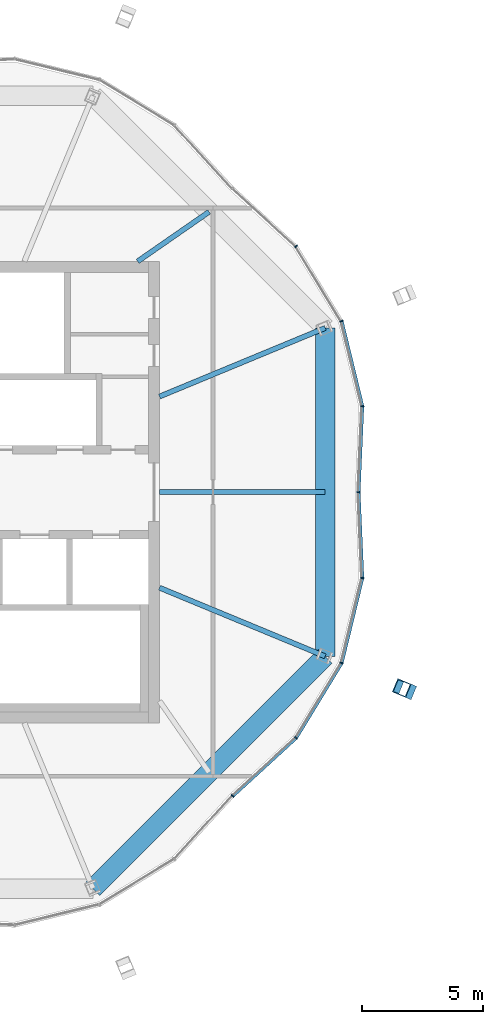
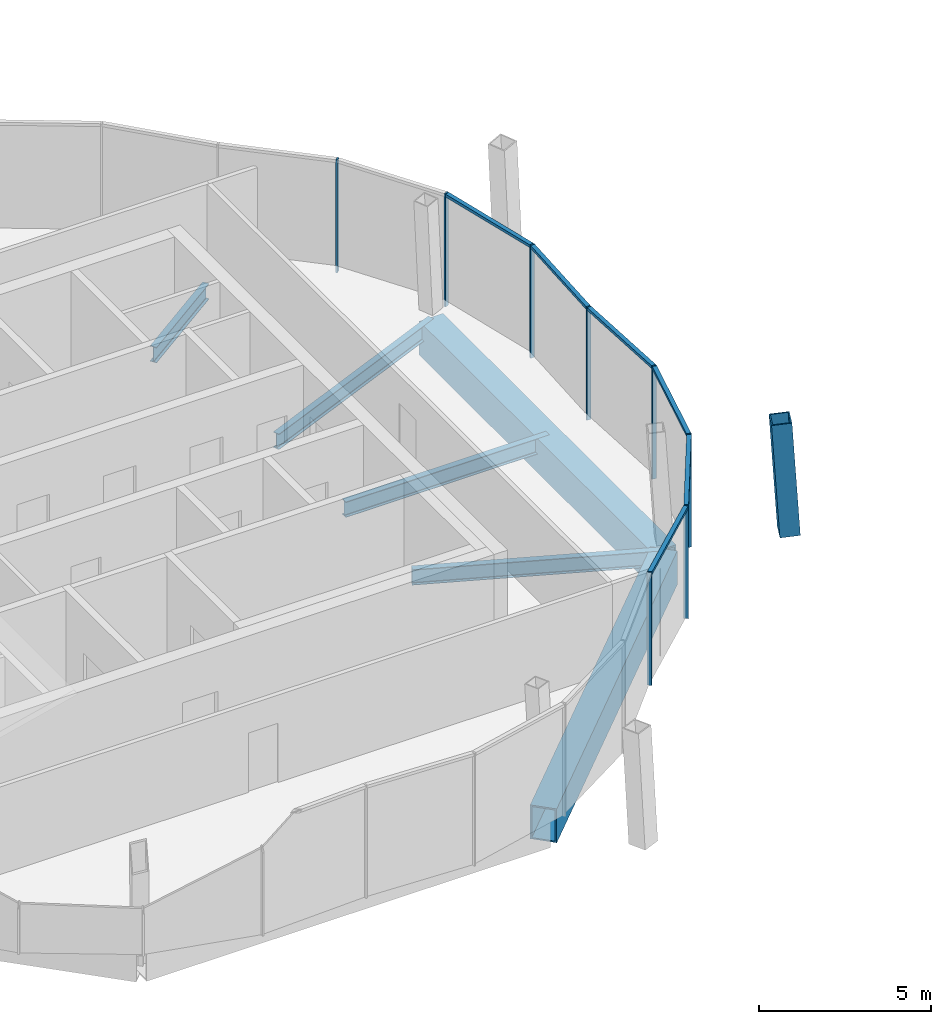
# One storey, part 7 of 23: 15 members, 6 beams, 3 elements without a shape of their own.
"""IFC4 building model written with IfcOpenShell, lengths in metres."""

from ifc_helpers import new_model, si_unit, direction, frame, origin, origin_2d, place, context, subcontext, project, spatial, rectangle, hollow_rectangle, i_section, extrude, material, material_profile, profile_set, type_object, element, aggregate, save


model = new_model("IFC4")

# Units and contexts
model_context = context("Model", 3, precision=1e-05, world=origin(), true_north=direction((0.0, 1.0)))
body_context = subcontext(model_context, "Body", "Model", "MODEL_VIEW")
ifc_project = project(units=[si_unit("LENGTHUNIT", "METRE"), si_unit("AREAUNIT", "SQUARE_METRE"), si_unit("VOLUMEUNIT", "CUBIC_METRE"), si_unit("PLANEANGLEUNIT", "RADIAN"), si_unit("MASSUNIT", "GRAM", prefix="KILO")], contexts=[model_context])

# Site, building, storey
site_placement = place(None, origin())
site = spatial("IfcSite", under=ifc_project, at=site_placement, CompositionType="ELEMENT")
building_placement = place(site_placement, origin())
building = spatial("IfcBuilding", under=site, at=building_placement, Name="Ogive Gate Towers", CompositionType="ELEMENT")
storey_placement = place(building_placement, frame((0.0, 0.0, 302.0)))
storey = spatial("IfcBuildingStorey", under=building, at=storey_placement, Name="L71", CompositionType="ELEMENT", Elevation=302.0)

# Curtain wall, members
ifc_material_1 = material(Name="Pale metal aluminium", Category="aluminium")
curtain_wall_type = type_object("IfcCurtainWallType", Name="Crown lean wall", PredefinedType="NOTDEFINED", material=ifc_material_1)
curtain_wall_1_placement = place(storey_placement, origin())
curtain_wall_1 = element("IfcCurtainWall", 1, at=curtain_wall_1_placement, inside=storey, type_object=curtain_wall_type, Name="CW5 T1 ECW01", PredefinedType="NOTDEFINED")
ifc_material_profile_1 = material_profile(ifc_material_1, rectangle(XDim=0.139892578125, YDim=0.050048828125, at=origin_2d()), Name="50 x 140 aluminium box")
ifc_profile_set_1 = profile_set([ifc_material_profile_1], Name="Pale metal aluminium")
member_type_1 = type_object("IfcMemberType", Name="Crown lean wall mullion 50 x 140", PredefinedType="MULLION", material=ifc_profile_set_1)
member_1_placement = place(storey_placement, frame((-20.87841796875, 10.119384765625, -0.300048828125), z_axis=(0.0, 0.0, 1.0), x_axis=(-0.772689259065, -0.634784458636, 0.0)))
member_1 = element("IfcMember", 2, at=member_1_placement, type_object=member_type_1, Name="CW5 mullion", PredefinedType="MULLION", context=body_context, shape_type="SweptSolid", body=[
    extrude(rectangle(XDim=0.139892578125, YDim=0.050048828125, at=origin_2d()), origin(), (0.0, 0.0, 1.0), 4.0),
])
member_2_placement = place(storey_placement, frame((-19.004150390625, 7.039794921875, -0.300048828125), z_axis=(0.0, 0.0, 1.0), x_axis=(-0.923879532511, -0.382683432365, 0.0)))
member_2 = element("IfcMember", 3, at=member_2_placement, type_object=member_type_1, Name="CW5 mullion", PredefinedType="MULLION", context=body_context, shape_type="SweptSolid", body=[
    extrude(rectangle(XDim=0.139892578125, YDim=0.050048828125, at=origin_2d()), origin(), (0.0, 0.0, 1.0), 4.0),
])
member_3_placement = place(storey_placement, frame((-18.151611328125, 3.537109375, -0.300048828125), z_axis=(0.0, 0.0, 1.0), x_axis=(-0.995234210128, -0.097513419542, 0.0)))
member_3 = element("IfcMember", 4, at=member_3_placement, type_object=member_type_1, Name="CW5 mullion", PredefinedType="MULLION", context=body_context, shape_type="SweptSolid", body=[
    extrude(rectangle(XDim=0.139892578125, YDim=0.050048828125, at=origin_2d()), origin(), (0.0, 0.0, 1.0), 4.0),
])
member_4_placement = place(storey_placement, frame((-18.304931640625, -0.001220703125, -0.300048828125), z_axis=(0.0, 0.0, 1.0), x_axis=(-0.999060363459, 0.043340398775, 0.0)))
member_4 = element("IfcMember", 5, at=member_4_placement, type_object=member_type_1, Name="CW5 mullion", PredefinedType="MULLION", context=body_context, shape_type="SweptSolid", body=[
    extrude(rectangle(XDim=0.139892578125, YDim=0.050048828125, at=origin_2d()), origin(), (0.0, 0.0, 1.0), 4.0),
])

# Curtain wall, member
curtain_wall_2_placement = place(storey_placement, origin())
curtain_wall_2 = element("IfcCurtainWall", 6, at=curtain_wall_2_placement, inside=storey, type_object=curtain_wall_type, Name="CW5 T1 ECW07", PredefinedType="NOTDEFINED")
member_5_placement = place(storey_placement, frame((-23.48681640625, -12.511474609375, -0.300048828125), z_axis=(0.0, 0.0, 1.0), x_axis=(-0.737088647689, 0.675796067943, 0.0)))
member_5 = element("IfcMember", 7, at=member_5_placement, type_object=member_type_1, Name="CW5 mullion", PredefinedType="MULLION", context=body_context, shape_type="SweptSolid", body=[
    extrude(rectangle(XDim=0.139892578125, YDim=0.050048828125, at=origin_2d()), origin(), (0.0, 0.0, 1.0), 4.0),
])
aggregate(curtain_wall_2, [member_5])

# Curtain wall, members
curtain_wall_3_placement = place(storey_placement, origin())
curtain_wall_3 = element("IfcCurtainWall", 8, at=curtain_wall_3_placement, inside=storey, type_object=curtain_wall_type, Name="CW5 T1 ECW08", PredefinedType="NOTDEFINED")
member_6_placement = place(storey_placement, frame((-18.151611328125, -3.537109375, -0.300048828125), z_axis=(0.0, 0.0, 1.0), x_axis=(-0.995234210128, 0.097513419542, 0.0)))
member_6 = element("IfcMember", 9, at=member_6_placement, type_object=member_type_1, Name="CW5 mullion", PredefinedType="MULLION", context=body_context, shape_type="SweptSolid", body=[
    extrude(rectangle(XDim=0.139892578125, YDim=0.050048828125, at=origin_2d()), origin(), (0.0, 0.0, 1.0), 4.0),
])
member_7_placement = place(storey_placement, frame((-19.004150390625, -7.039794921875, -0.300048828125), z_axis=(0.0, 0.0, 1.0), x_axis=(-0.923879532511, 0.382683432365, 0.0)))
member_7 = element("IfcMember", 10, at=member_7_placement, type_object=member_type_1, Name="CW5 mullion", PredefinedType="MULLION", context=body_context, shape_type="SweptSolid", body=[
    extrude(rectangle(XDim=0.139892578125, YDim=0.050048828125, at=origin_2d()), origin(), (0.0, 0.0, 1.0), 4.0),
])
member_8_placement = place(storey_placement, frame((-20.87841796875, -10.119384765625, -0.300048828125), z_axis=(0.0, 0.0, 1.0), x_axis=(-0.772689259065, 0.634784458636, 0.0)))
member_8 = element("IfcMember", 11, at=member_8_placement, type_object=member_type_1, Name="CW5 mullion", PredefinedType="MULLION", context=body_context, shape_type="SweptSolid", body=[
    extrude(rectangle(XDim=0.139892578125, YDim=0.050048828125, at=origin_2d()), origin(), (0.0, 0.0, 1.0), 4.0),
])

# Member
ifc_material_profile_2 = material_profile(ifc_material_1, rectangle(XDim=0.139892578125, YDim=0.10009765625, at=origin_2d()), Name="100 x 140 aluminium box")
ifc_profile_set_2 = profile_set([ifc_material_profile_2], Name="Pale metal aluminium")
member_type_2 = type_object("IfcMemberType", Name="Crown lean wall transom 100 x 140", PredefinedType="USERDEFINED", material=ifc_profile_set_2)
member_9_placement = place(storey_placement, frame((-18.99658203125, 7.01123046875, 3.64990234375), z_axis=(0.236358606487, -0.971665893782, 0.0), x_axis=(0.971665893782, 0.236358606487, 0.0)))
member_9 = element("IfcMember", 12, at=member_9_placement, type_object=member_type_2, Name="CW5 transom", ObjectType="TRANSOM", PredefinedType="USERDEFINED", context=body_context, shape_type="SweptSolid", body=[
    extrude(rectangle(XDim=0.139892578125, YDim=0.10009765625, at=origin_2d()), origin(), (0.0, 0.0, 1.0), 3.546142578125),
])

member_10_placement = place(storey_placement, frame((-18.152587890625, 3.5078125, 3.64990234375), z_axis=(-0.043333931654, -0.999060643989, 0.0), x_axis=(0.999060643989, -0.043333931654, 0.0)))
member_10 = element("IfcMember", 13, at=member_10_placement, type_object=member_type_2, Name="CW5 transom", ObjectType="TRANSOM", PredefinedType="USERDEFINED", context=body_context, shape_type="SweptSolid", body=[
    extrude(rectangle(XDim=0.139892578125, YDim=0.10009765625, at=origin_2d()), origin(), (0.0, 0.0, 1.0), 3.4873046875),
])

aggregate(curtain_wall_1, [member_1, member_2, member_3, member_9, member_4, member_10])

member_11_placement = place(storey_placement, frame((-18.3037109375, -0.023681640625, 3.64990234375), z_axis=(0.043333931654, -0.999060643989, 0.0), x_axis=(0.999060643989, 0.043333931654, 0.0)))
member_11 = element("IfcMember", 14, at=member_11_placement, type_object=member_type_2, Name="CW5 transom", ObjectType="TRANSOM", PredefinedType="USERDEFINED", context=body_context, shape_type="SweptSolid", body=[
    extrude(rectangle(XDim=0.139892578125, YDim=0.10009765625, at=origin_2d()), origin(), (0.0, 0.0, 1.0), 3.4873046875),
])

member_12_placement = place(storey_placement, frame((-18.158447265625, -3.565673828125, 3.64990234375), z_axis=(-0.236358606487, -0.971665893782, 0.0), x_axis=(0.971665893782, -0.236358606487, 0.0)))
member_12 = element("IfcMember", 15, at=member_12_placement, type_object=member_type_2, Name="CW5 transom", ObjectType="TRANSOM", PredefinedType="USERDEFINED", context=body_context, shape_type="SweptSolid", body=[
    extrude(rectangle(XDim=0.139892578125, YDim=0.10009765625, at=origin_2d()), origin(), (0.0, 0.0, 1.0), 3.546142578125),
])

member_13_placement = place(storey_placement, frame((-19.019287109375, -7.0654296875, 3.64990234375), z_axis=(-0.51986176427, -0.854250400088, 0.0), x_axis=(0.854250400088, -0.51986176427, 0.0)))
member_13 = element("IfcMember", 16, at=member_13_placement, type_object=member_type_2, Name="CW5 transom", ObjectType="TRANSOM", PredefinedType="USERDEFINED", context=body_context, shape_type="SweptSolid", body=[
    extrude(rectangle(XDim=0.139892578125, YDim=0.10009765625, at=origin_2d()), origin(), (0.0, 0.0, 1.0), 3.546142578125),
])

member_14_placement = place(storey_placement, frame((-20.899658203125, -10.139404296875, 3.64990234375), z_axis=(-0.73706986576, -0.675816552763, 0.0), x_axis=(0.675816552763, -0.73706986576, 0.0)))
member_14 = element("IfcMember", 17, at=member_14_placement, type_object=member_type_2, Name="CW5 transom", ObjectType="TRANSOM", PredefinedType="USERDEFINED", context=body_context, shape_type="SweptSolid", body=[
    extrude(rectangle(XDim=0.139892578125, YDim=0.10009765625, at=origin_2d()), origin(), (0.0, 0.0, 1.0), 3.487548828125),
])

aggregate(curtain_wall_3, [member_6, member_11, member_7, member_12, member_8, member_13, member_14])

ifc_material_2 = material(Name="Steel SM460", Category="steel")
ifc_material_profile_3 = material_profile(ifc_material_2, hollow_rectangle(XDim=0.60009765625, YDim=0.60009765625, WallThickness=0.0400390625, at=origin_2d()), Name="BX 600x600x40")
ifc_profile_set_3 = profile_set([ifc_material_profile_3], Name="Steel SM460")
member_type_3 = type_object("IfcMemberType", Name="Crown rib BX 600x600x40", PredefinedType="MEMBER", material=ifc_profile_set_3)
member_15_placement = place(storey_placement, frame((-16.306884765625, -8.1572265625, 0.0), z_axis=(-0.056413057581, 0.02339375174, 0.998133407573), x_axis=(-0.383056544411, -0.923724896159, 0.0)))
element("IfcMember", 18, at=member_15_placement, inside=storey, type_object=member_type_3, Name="T1/L71/STR006", PredefinedType="MEMBER", context=body_context, shape_type="SweptSolid", body=[
    extrude(hollow_rectangle(XDim=0.60009765625, YDim=0.60009765625, WallThickness=0.0400390625, at=origin_2d()), origin(), (0.0, 0.0, 1.0), 4.007568359375),
])

# Beams
ifc_material_profile_4 = material_profile(ifc_material_2, hollow_rectangle(XDim=0.800048828125, YDim=1.199951171875, WallThickness=0.050048828125, at=origin_2d()), Name="BX 1200x800x50")
ifc_profile_set_4 = profile_set([ifc_material_profile_4], Name="Steel SM460")
beam_type_1 = type_object("IfcBeamType", Name="Edge girder BX 1200x800x50", PredefinedType="BEAM", material=ifc_profile_set_4)
beam_1_placement = place(storey_placement, frame((-29.239990234375, -16.3203125, -0.89990234375), z_axis=(0.707106781187, 0.707106781187, 0.0), x_axis=(-0.707106781187, 0.707106781187, 0.0)))
element("IfcBeam", 19, at=beam_1_placement, inside=storey, type_object=beam_type_1, Name="T1/L71/SBM019", PredefinedType="BEAM", context=body_context, shape_type="SweptSolid", body=[
    extrude(hollow_rectangle(XDim=0.800048828125, YDim=1.199951171875, WallThickness=0.050048828125, at=origin_2d()), origin(), (0.0, 0.0, 1.0), 13.520263671875),
])
beam_2_placement = place(storey_placement, frame((-19.6796875, -6.760009765625, -0.89990234375), z_axis=(0.0, 1.0, 0.0), x_axis=(-1.0, 0.0, 0.0)))
element("IfcBeam", 20, at=beam_2_placement, inside=storey, type_object=beam_type_1, Name="T1/L71/SBM020", PredefinedType="BEAM", context=body_context, shape_type="SweptSolid", body=[
    extrude(hollow_rectangle(XDim=0.800048828125, YDim=1.199951171875, WallThickness=0.050048828125, at=origin_2d()), origin(), (0.0, 0.0, 1.0), 13.52001953125),
])
ifc_material_3 = material(Name="Steel SM355", Category="steel")
ifc_material_profile_5 = material_profile(ifc_material_3, i_section(OverallWidth=0.2099609375, OverallDepth=0.550048828125, WebThickness=0.010986328125, FlangeThickness=0.01708984375, FilletRadius=0.02392578125, at=origin_2d()), Name="IPE 550")
ifc_profile_set_5 = profile_set([ifc_material_profile_5], Name="Steel SM355")
beam_type_2 = type_object("IfcBeamType", Name="Radial floor beam IPE 550", PredefinedType="BEAM", material=ifc_profile_set_5)
beam_3_placement = place(storey_placement, frame((-26.5, -3.93505859375, -0.574951171875), z_axis=(0.923885028825, -0.38267016282, 0.0), x_axis=(0.38267016282, 0.923885028825, 0.0)))
element("IfcBeam", 21, at=beam_3_placement, inside=storey, type_object=beam_type_2, Name="T1/L71/SBM007", PredefinedType="BEAM", context=body_context, shape_type="SweptSolid", body=[
    extrude(i_section(OverallWidth=0.2099609375, OverallDepth=0.550048828125, WebThickness=0.010986328125, FlangeThickness=0.01708984375, FilletRadius=0.02392578125, at=origin_2d()), origin(), (0.0, 0.0, 1.0), 7.38232421875),
])
beam_4_placement = place(storey_placement, frame((-26.5, 0.0, -0.574951171875), z_axis=(1.0, 0.0, 0.0), x_axis=(0.0, 1.0, 0.0)))
element("IfcBeam", 22, at=beam_4_placement, inside=storey, type_object=beam_type_2, Name="T1/L71/SBM008", PredefinedType="BEAM", context=body_context, shape_type="SweptSolid", body=[
    extrude(i_section(OverallWidth=0.2099609375, OverallDepth=0.550048828125, WebThickness=0.010986328125, FlangeThickness=0.01708984375, FilletRadius=0.02392578125, at=origin_2d()), origin(), (0.0, 0.0, 1.0), 6.8203125),
])
beam_5_placement = place(storey_placement, frame((-26.5, 3.93505859375, -0.574951171875), z_axis=(0.923885028825, 0.38267016282, 0.0), x_axis=(-0.38267016282, 0.923885028825, 0.0)))
element("IfcBeam", 23, at=beam_5_placement, inside=storey, type_object=beam_type_2, Name="T1/L71/SBM009", PredefinedType="BEAM", context=body_context, shape_type="SweptSolid", body=[
    extrude(i_section(OverallWidth=0.2099609375, OverallDepth=0.550048828125, WebThickness=0.010986328125, FlangeThickness=0.01708984375, FilletRadius=0.02392578125, at=origin_2d()), origin(), (0.0, 0.0, 1.0), 7.38232421875),
])
beam_6_placement = place(storey_placement, frame((-27.39990234375, 9.5, -0.574951171875), z_axis=(0.821567898458, 0.570110680679, 0.0), x_axis=(-0.570110680679, 0.821567898458, 0.0)))
element("IfcBeam", 24, at=beam_6_placement, inside=storey, type_object=beam_type_2, Name="T1/L71/SBM010", PredefinedType="BEAM", context=body_context, shape_type="SweptSolid", body=[
    extrude(i_section(OverallWidth=0.2099609375, OverallDepth=0.550048828125, WebThickness=0.010986328125, FlangeThickness=0.01708984375, FilletRadius=0.02392578125, at=origin_2d()), origin(), (0.0, 0.0, 1.0), 3.578857421875),
])

save(model, "model.ifc")
